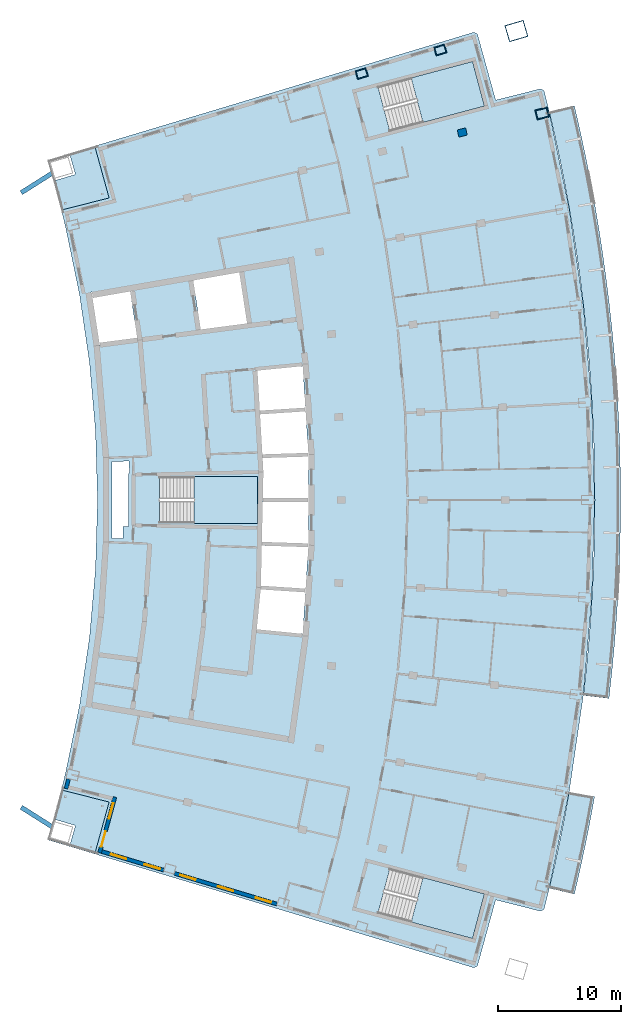
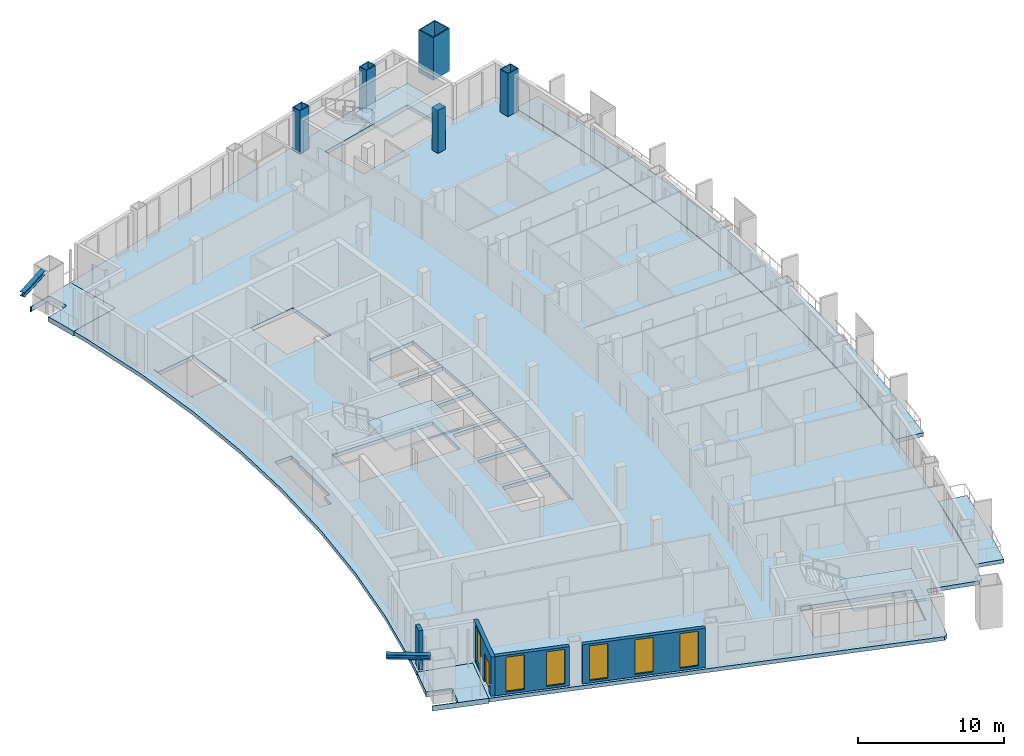
# One storey, part 6 of 16: 8 slabs, 6 windows, 5 columns, 4 walls, 2 members, 1 door, 7 openings, 3 elements without a shape of their own.
"""IFC4 building model written with IfcOpenShell, lengths in metres."""

from ifc_helpers import new_model, si_unit, direction, frame, frame_2d, origin, origin_2d, place, context, subcontext, project, spatial, polyline, rectangle, hollow_rectangle, i_section, outline, extrude, material, layer, layer_set, material_profile, profile_set, type_object, element, fill, aggregate, save


model = new_model("IFC4")

# Units and contexts
model_context = context("Model", 3, precision=1e-05, world=origin(), true_north=direction((0.0, 1.0)))
body_context = subcontext(model_context, "Body", "Model", "MODEL_VIEW")
ifc_project = project(units=[si_unit("LENGTHUNIT", "METRE"), si_unit("AREAUNIT", "SQUARE_METRE"), si_unit("VOLUMEUNIT", "CUBIC_METRE"), si_unit("PLANEANGLEUNIT", "RADIAN"), si_unit("MASSUNIT", "GRAM", prefix="KILO")], contexts=[model_context])

# Site, building, storey
site_placement = place(None, origin())
site = spatial("IfcSite", under=ifc_project, at=site_placement, CompositionType="ELEMENT")
building_placement = place(site_placement, origin())
building = spatial("IfcBuilding", under=site, at=building_placement, Name="Alderwake Tower", CompositionType="ELEMENT")
storey_placement = place(building_placement, frame((0.0, 0.0, 281.60009765625)))
storey = spatial("IfcBuildingStorey", under=building, at=storey_placement, Name="L70", CompositionType="ELEMENT", Elevation=281.60009765625)

# Columns
ifc_material_1 = material(Name="Steel ASTM A572 Grade 50 concrete filled C70/85", Category="concrete")
ifc_material_profile_1 = material_profile(ifc_material_1, hollow_rectangle(XDim=0.699951171875, YDim=0.89990234375, WallThickness=0.050048828125, at=origin_2d()), Name="BOX 900X700X50")
ifc_profile_set_1 = profile_set([ifc_material_profile_1], Name="Steel ASTM A572 Grade 50 concrete filled C70/85")
column_type_1 = type_object("IfcColumnType", Name="End column Z5", PredefinedType="COLUMN", material=ifc_profile_set_1)
for number, where, z_axis, x_axis, name in (
    (1, (37.465576171875, 95.64013671875, 0.0), (0.0, 0.0, 1.0), (-0.282853758087, 0.95916304742, 0.0), "Column R12-C3"),
    (2, (43.8505859375, 97.55712890625, 0.0), (0.0, 0.0, 1.0), (-0.283096487049, 0.95909143413, 0.0), "Column R12-C4"),
):
    element("IfcColumn", number, at=place(storey_placement, frame(where, z_axis=z_axis, x_axis=x_axis)), inside=storey, type_object=column_type_1, Name=name, PredefinedType="COLUMN", context=body_context, shape_type="SweptSolid", body=[
        extrude(hollow_rectangle(XDim=0.699951171875, YDim=0.89990234375, WallThickness=0.050048828125, at=origin_2d()), origin(), (0.0, 0.0, 1.0), 3.599853515625),
    ])
ifc_material_2 = material(Name="Concrete C70/85", Category="concrete")
ifc_material_profile_2 = material_profile(ifc_material_2, rectangle(XDim=0.60009765625, YDim=0.699951171875, at=origin_2d()), Name="RC 700X600")
ifc_profile_set_2 = profile_set([ifc_material_profile_2], Name="Concrete C70/85")
column_type_2 = type_object("IfcColumnType", Name="Interior column Z5", PredefinedType="COLUMN", material=ifc_profile_set_2)
column_1_placement = place(storey_placement, frame((45.6337890625, 90.8583984375, 0.0), z_axis=(0.0, 0.0, 1.0), x_axis=(-0.231221547198, 0.972901123502, 0.0)))
element("IfcColumn", 3, at=column_1_placement, inside=storey, type_object=column_type_2, Name="Column R11-C4", PredefinedType="COLUMN", context=body_context, shape_type="SweptSolid", body=[
    extrude(rectangle(XDim=0.60009765625, YDim=0.699951171875, at=origin_2d()), origin(), (0.0, 0.0, 1.0), 3.599853515625),
])
ifc_material_3 = material(Name="Steel ASTM A572 Grade 50 concrete filled C70/85", Category="concrete")
ifc_material_profile_3 = material_profile(ifc_material_3, hollow_rectangle(XDim=1.39990234375, YDim=1.60009765625, WallThickness=0.070068359375, at=origin_2d()), Name="BOX 1600X1400X70")
ifc_profile_set_3 = profile_set([ifc_material_profile_3], Name="Steel ASTM A572 Grade 50 concrete filled C70/85")
column_type_3 = type_object("IfcColumnType", Name="Mega column Z5", PredefinedType="COLUMN", material=ifc_profile_set_3)
column_2_placement = place(storey_placement, frame((50.03271484375, 99.101806640625, 0.0), z_axis=(0.0, 0.0, 1.0), x_axis=(-0.281194346997, 0.959650842347, 0.0)))
element("IfcColumn", 4, at=column_2_placement, inside=storey, type_object=column_type_3, Name="Column R12-C5", PredefinedType="COLUMN", context=body_context, shape_type="SweptSolid", body=[
    extrude(hollow_rectangle(XDim=1.39990234375, YDim=1.60009765625, WallThickness=0.070068359375, at=origin_2d()), origin(), (0.0, 0.0, 1.0), 3.599853515625),
])
ifc_material_4 = material(Name="Steel ASTM A572 Grade 50 concrete filled C70/85", Category="concrete")
ifc_material_profile_4 = material_profile(ifc_material_4, hollow_rectangle(XDim=0.800048828125, YDim=1.0, WallThickness=0.054931640625, at=origin_2d()), Name="BOX 1000X800X55")
ifc_profile_set_4 = profile_set([ifc_material_profile_4], Name="Steel ASTM A572 Grade 50 concrete filled C70/85")
column_type_4 = type_object("IfcColumnType", Name="Perimeter column Z5", PredefinedType="COLUMN", material=ifc_profile_set_4)
column_3_placement = place(storey_placement, frame((52.1201171875, 92.39990234375, 0.0), z_axis=(0.0, 0.0, 1.0), x_axis=(-0.231221547198, 0.972901123502, 0.0)))
element("IfcColumn", 5, at=column_3_placement, inside=storey, type_object=column_type_4, Name="Column R11-C5", PredefinedType="COLUMN", context=body_context, shape_type="SweptSolid", body=[
    extrude(hollow_rectangle(XDim=0.800048828125, YDim=1.0, WallThickness=0.054931640625, at=origin_2d()), origin(), (0.0, 0.0, 1.0), 3.599853515625),
])

# Members
ifc_material_5 = material(Name="Steel ASTM A992 Grade 50", Category="steel")
ifc_material_profile_5 = material_profile(ifc_material_5, i_section(OverallWidth=0.3740234375, OverallDepth=0.372314453125, WebThickness=0.016357421875, FlangeThickness=0.026123046875, at=origin_2d()), Name="W14X132")
ifc_profile_set_5 = profile_set([ifc_material_profile_5], Name="Steel ASTM A992 Grade 50")
member_type = type_object("IfcMemberType", Name="Brace node stub W14X132", PredefinedType="MEMBER", material=ifc_profile_set_5)
for number, where, z_axis, x_axis, name in (
    (6, (12.394775390625, 34.39599609375, 3.393798828125), (-0.84496653982, 0.534819171856, 0.0), (-0.534819171856, -0.84496653982, 0.0), "Brace node stub BS.RR02-C0.2852"),
    (7, (12.394775390625, 87.60400390625, 3.393798828125), (-0.84496653982, -0.534819171856, 0.0), (0.534819171856, -0.84496653982, 0.0), "Brace node stub BS.RR12-C0.2852"),
):
    element("IfcMember", number, at=place(storey_placement, frame(where, z_axis=z_axis, x_axis=x_axis)), inside=storey, type_object=member_type, Name=name, PredefinedType="MEMBER", context=body_context, shape_type="SweptSolid", body=[
        extrude(i_section(OverallWidth=0.3740234375, OverallDepth=0.372314453125, WebThickness=0.016357421875, FlangeThickness=0.026123046875, at=origin_2d()), origin(), (0.0, 0.0, 1.0), 3.067626953125),
    ])

# Slabs
ifc_material_6 = material(Name="Concrete C50/60", Category="concrete")
ifc_layer_1 = layer(ifc_material_6, 0.320068359375)
ifc_layer_set_1 = layer_set([ifc_layer_1], Name="Balcony slab 320")
slab_type_1 = type_object("IfcSlabType", Name="Balcony slab 320", PredefinedType="FLOOR", material=ifc_layer_set_1)
slab_1_placement = place(storey_placement, frame((0.0, 0.0, -0.320068359375)))
element("IfcSlab", 8, at=slab_1_placement, inside=storey, type_object=slab_type_1, Name="Balcony BF03", PredefinedType="FLOOR", context=body_context, shape_type="SweptSolid", body=[
    extrude(outline(polyline([(52.70361328125, 29.461181640625), (54.746826171875, 28.975830078125), (55.199462890625, 30.944091796875), (55.623291015625, 32.9189453125), (56.0185546875, 34.899658203125), (56.384521484375, 36.885986328125), (54.316650390625, 37.251708984375), (53.9560546875, 35.29541015625), (53.56689453125, 33.3447265625), (53.1494140625, 31.39990234375), (52.70361328125, 29.461181640625)])), origin(), (0.0, 0.0, 1.0), 0.320068359375),
])
slab_2_placement = place(storey_placement, frame((0.0, 0.0, -0.320068359375)))
element("IfcSlab", 9, at=slab_2_placement, inside=storey, type_object=slab_type_1, Name="Balcony BF05", PredefinedType="FLOOR", context=body_context, shape_type="SweptSolid", body=[
    extrude(outline(polyline([(57.779052734375, 46.885986328125), (57.97021484375, 48.896728515625), (58.132080078125, 50.909912109375), (58.264404296875, 52.92529296875), (58.367431640625, 54.942626953125), (58.441162109375, 56.9609375), (58.4853515625, 58.980224609375), (58.5, 61.0), (58.4853515625, 63.019775390625), (58.441162109375, 65.0390625), (58.367431640625, 67.057373046875), (58.264404296875, 69.07470703125), (58.132080078125, 71.090087890625), (57.97021484375, 73.103271484375), (57.779052734375, 75.114013671875), (57.55859375, 77.12158203125), (57.308837890625, 79.1259765625), (57.02978515625, 81.12646484375), (56.7216796875, 83.12255859375), (56.384521484375, 85.114013671875), (56.0185546875, 87.100341796875), (55.623291015625, 89.0810546875), (55.199462890625, 91.055908203125), (54.746826171875, 93.024169921875), (52.70361328125, 92.538818359375), (53.1494140625, 90.60009765625), (53.56689453125, 88.6552734375), (53.9560546875, 86.70458984375), (54.316650390625, 84.748291015625), (54.648681640625, 82.787109375), (54.9521484375, 80.8212890625), (55.226806640625, 78.85107421875), (55.472900390625, 76.877197265625), (55.68994140625, 74.89990234375), (55.878173828125, 72.919921875), (56.03759765625, 70.93701171875), (56.16796875, 68.9521484375), (56.26953125, 66.965576171875), (56.342041015625, 64.977783203125), (56.385498046875, 62.989013671875), (56.39990234375, 61.0), (56.385498046875, 59.010986328125), (56.342041015625, 57.022216796875), (56.26953125, 55.034423828125), (56.16796875, 53.0478515625), (56.03759765625, 51.06298828125), (55.878173828125, 49.080078125), (55.68994140625, 47.10009765625), (55.472900390625, 45.122802734375), (57.55859375, 44.87841796875), (57.779052734375, 46.885986328125)])), origin(), (0.0, 0.0, 1.0), 0.320068359375),
])
ifc_material_7 = material(Name="Concrete C50/60", Category="concrete")
ifc_layer_2 = layer(ifc_material_7, 0.320068359375)
ifc_layer_set_2 = layer_set([ifc_layer_2], Name="Concrete C50/60 post-tensioned flat plate 320")
slab_type_2 = type_object("IfcSlabType", Name="Concrete C50/60 post-tensioned flat plate 320", PredefinedType="FLOOR", material=ifc_layer_set_2)
slab_3_placement = place(storey_placement, frame((0.0, 0.0, -0.320068359375)))
element("IfcSlab", 10, at=slab_3_placement, inside=storey, type_object=slab_type_2, Name="Floor slab L70", PredefinedType="FLOOR", context=body_context, shape_type="SweptSolid", body=[
    extrude(outline(polyline([(13.06494140625, 37.443115234375), (13.3984375, 38.802734375), (14.53369140625, 44.28564453125), (15.347412109375, 49.825439453125), (15.836669921875, 55.4033203125), (16.0, 61.0), (15.836669921875, 66.5966796875), (15.347412109375, 72.174560546875), (14.53369140625, 77.71435546875), (13.3984375, 83.197265625), (13.06494140625, 84.556884765625), (16.942626953125, 85.53857421875), (15.776611328125, 89.7548828125), (46.587890625, 99.00537109375), (46.869384765625, 98.849853515625), (48.35205078125, 93.489013671875), (52.006591796875, 94.4140625), (52.284423828125, 94.2470703125), (52.70361328125, 92.538818359375), (54.316650390625, 84.748291015625), (55.472900390625, 76.877197265625), (56.16796875, 68.9521484375), (56.39990234375, 61.0), (56.16796875, 53.0478515625), (55.472900390625, 45.122802734375), (54.316650390625, 37.251708984375), (52.70361328125, 29.461181640625), (52.284423828125, 27.7529296875), (52.006591796875, 27.5859375), (48.35205078125, 28.510986328125), (46.869384765625, 23.150146484375), (46.587890625, 22.99462890625), (15.776611328125, 32.2451171875), (16.942626953125, 36.46142578125), (13.06494140625, 37.443115234375)]), holes=[polyline([(29.2578125, 53.77197265625), (28.9365234375, 50.4912109375), (32.646484375, 50.128173828125), (32.6318359375, 49.978759765625), (32.661865234375, 49.975830078125), (32.90087890625, 53.64794921875), (33.139892578125, 57.320068359375), (33.139892578125, 61.0), (33.139892578125, 64.679931640625), (32.90087890625, 68.35205078125), (32.661865234375, 72.024169921875), (32.6318359375, 72.021240234375), (32.646484375, 71.871826171875), (28.886962890625, 71.50390625), (28.88720703125, 71.50048828125), (28.99462890625, 71.506591796875), (29.184814453125, 68.26025390625), (32.861083984375, 68.499755859375), (32.87109375, 68.35009765625), (32.880615234375, 68.200439453125), (29.2021484375, 67.960693359375), (29.392578125, 64.7080078125), (33.105224609375, 64.828857421875), (33.110107421875, 64.678955078125), (33.114990234375, 64.529052734375), (29.41015625, 64.408447265625), (29.4765625, 63.27685546875), (29.429443359375, 61.14990234375), (33.110107421875, 61.14990234375), (33.110107421875, 61.0), (33.110107421875, 60.85009765625), (29.4228515625, 60.85009765625), (29.350830078125, 57.593505859375), (33.114990234375, 57.470947265625), (33.110107421875, 57.321044921875), (33.105224609375, 57.171142578125), (29.34423828125, 57.29345703125), (29.2705078125, 53.969482421875), (29.274169921875, 53.969482421875), (29.2783203125, 54.0341796875), (32.880615234375, 53.799560546875), (32.87109375, 53.64990234375), (32.861083984375, 53.500244140625), (29.2587890625, 53.73486328125), (29.26123046875, 53.771728515625), (29.2578125, 53.77197265625)]), polyline([(21.050048828125, 62.875), (21.050048828125, 59.125), (29.0, 59.125), (29.0, 62.875), (21.050048828125, 62.875)]), polyline([(15.54345703125, 77.892822265625), (15.437744140625, 77.874267578125), (15.4384765625, 77.87060546875), (15.519287109375, 77.8828125), (16.180908203125, 73.579833984375), (16.210693359375, 73.583740234375), (16.184814453125, 73.781982421875), (19.224609375, 74.1796875), (18.656005859375, 77.940673828125), (18.852294921875, 77.97021484375), (18.8505859375, 77.980224609375), (15.626220703125, 77.418212890625), (15.54345703125, 77.892822265625)]), polyline([(27.521240234375, 79.491943359375), (23.77783203125, 78.83935546875), (24.384033203125, 74.858642578125), (24.3642578125, 74.855712890625), (24.36474609375, 74.851806640625), (28.152587890625, 75.347412109375), (27.521240234375, 79.491943359375)]), polyline([(47.436279296875, 28.996826171875), (39.754150390625, 31.043212890625), (38.7890625, 27.41943359375), (46.47119140625, 25.373291015625), (47.436279296875, 28.996826171875)]), polyline([(46.47119140625, 96.626708984375), (38.7890625, 94.58056640625), (39.754150390625, 90.956787109375), (47.436279296875, 93.003173828125), (46.47119140625, 96.626708984375)]), polyline([(17.189453125, 64.114990234375), (17.189453125, 57.885009765625), (18.06298828125, 57.85400390625), (18.090576171875, 58.84375), (18.544189453125, 58.831298828125), (18.529296875, 58.8681640625), (18.5234375, 58.891845703125), (18.5185546875, 58.940673828125), (18.5185546875, 63.060302734375), (18.5234375, 63.109130859375), (18.53759765625, 63.156005859375), (18.560791015625, 63.19921875), (18.588623046875, 63.2333984375), (18.562744140625, 64.16357421875), (17.189453125, 64.114990234375)])]), origin(), (0.0, 0.0, 1.0), 0.320068359375),
])

# Stair, slab
ifc_material_8 = material(Name="Concrete C40/50", Category="concrete")
stair_type = type_object("IfcStairType", Name="Core exit stair", PredefinedType="HALF_TURN_STAIR", material=ifc_material_8)
stair_1_placement = place(storey_placement, origin())
stair_1 = element("IfcStair", 11, at=stair_1_placement, inside=storey, type_object=stair_type, Name="L70 Exit Stair B", PredefinedType="HALF_TURN_STAIR")
ifc_material_9 = material(Name="Concrete C40/50", Category="concrete")
ifc_layer_3 = layer(ifc_material_9, 0.199951171875)
ifc_layer_set_3 = layer_set([ifc_layer_3], Name="Core stair landing 200")
slab_type_3 = type_object("IfcSlabType", Name="Core stair landing 200", PredefinedType="LANDING", material=ifc_layer_set_3)
slab_4_placement = place(storey_placement, frame((0.0, 0.0, 1.599853515625)))
slab_4 = element("IfcSlab", 12, at=slab_4_placement, type_object=slab_type_3, Name="ST-B landing 1", PredefinedType="LANDING", context=body_context, shape_type="SweptSolid", body=[
    extrude(outline(polyline([(23.830078125, 59.074951171875), (29.0, 59.074951171875), (29.0, 62.925048828125), (23.830078125, 62.925048828125), (23.830078125, 59.074951171875)])), origin(), (0.0, 0.0, 1.0), 0.199951171875),
])
aggregate(stair_1, [slab_4])

stair_2_placement = place(storey_placement, origin())
stair_2 = element("IfcStair", 13, at=stair_2_placement, inside=storey, type_object=stair_type, Name="L70 Exit Stair A", PredefinedType="HALF_TURN_STAIR")
slab_5_placement = place(storey_placement, frame((0.0, 0.0, 1.599853515625)))
slab_5 = element("IfcSlab", 14, at=slab_5_placement, type_object=slab_type_3, Name="ST-A landing 1", PredefinedType="LANDING", context=body_context, shape_type="SweptSolid", body=[
    extrude(outline(polyline([(42.440673828125, 91.67236328125), (47.436279296875, 93.003173828125), (46.47119140625, 96.626708984375), (41.475341796875, 95.296142578125), (42.440673828125, 91.67236328125)])), origin(), (0.0, 0.0, 1.0), 0.199951171875),
])
aggregate(stair_2, [slab_5])

stair_3_placement = place(storey_placement, origin())
stair_3 = element("IfcStair", 15, at=stair_3_placement, inside=storey, type_object=stair_type, Name="L70 Exit Stair C", PredefinedType="HALF_TURN_STAIR")
slab_6_placement = place(storey_placement, frame((0.0, 0.0, 1.599853515625)))
slab_6 = element("IfcSlab", 16, at=slab_6_placement, type_object=slab_type_3, Name="ST-C landing 1", PredefinedType="LANDING", context=body_context, shape_type="SweptSolid", body=[
    extrude(outline(polyline([(41.475341796875, 26.703857421875), (46.47119140625, 25.373291015625), (47.436279296875, 28.996826171875), (42.4404296875, 30.32763671875), (41.475341796875, 26.703857421875)])), origin(), (0.0, 0.0, 1.0), 0.199951171875),
])
aggregate(stair_3, [slab_6])

# Slabs
ifc_material_10 = material(Name="Concrete C50/60", Category="concrete")
ifc_layer_4 = layer(ifc_material_10, 0.419921875)
ifc_layer_set_4 = layer_set([ifc_layer_4], Name="Terrace slab 420")
slab_type_4 = type_object("IfcSlabType", Name="Terrace slab 420", PredefinedType="FLOOR", material=ifc_layer_set_4)
slab_7_placement = place(storey_placement, frame((0.0, 0.0, -0.420166015625)))
element("IfcSlab", 17, at=slab_7_placement, inside=storey, type_object=slab_type_4, Name="Corner terrace RS", PredefinedType="FLOOR", context=body_context, shape_type="SweptSolid", body=[
    extrude(outline(polyline([(15.776611328125, 32.2451171875), (11.945556640625, 33.395263671875), (11.9697265625, 33.478271484375), (11.97607421875, 33.46826171875), (11.985107421875, 33.456298828125), (11.9951171875, 33.44580078125), (12.006103515625, 33.435791015625), (12.017822265625, 33.42724609375), (12.03076171875, 33.419921875), (12.0439453125, 33.413818359375), (12.05810546875, 33.408935546875), (13.594482421875, 32.963134765625), (13.60888671875, 32.959716796875), (13.62353515625, 32.957763671875), (13.63818359375, 32.957275390625), (13.65283203125, 32.9580078125), (13.66748046875, 32.96044921875), (13.681640625, 32.964111328125), (13.695556640625, 32.969482421875), (13.708740234375, 32.975830078125), (13.72119140625, 32.9833984375), (13.73291015625, 32.992431640625), (13.74365234375, 33.00244140625), (13.75341796875, 33.013427734375), (13.76220703125, 33.025390625), (13.76953125, 33.0380859375), (13.775634765625, 33.051513671875), (13.780517578125, 33.0654296875), (14.17041015625, 34.409912109375), (14.173828125, 34.42431640625), (14.17578125, 34.43896484375), (14.176513671875, 34.45361328125), (14.175537109375, 34.46826171875), (14.173095703125, 34.48291015625), (14.16943359375, 34.4970703125), (14.164306640625, 34.510986328125), (14.157958984375, 34.524169921875), (14.150146484375, 34.53662109375), (14.14111328125, 34.54833984375), (14.131103515625, 34.55908203125), (14.1201171875, 34.56884765625), (14.1083984375, 34.577392578125), (14.095458984375, 34.5849609375), (14.082275390625, 34.591064453125), (14.068115234375, 34.595947265625), (12.531494140625, 35.04150390625), (12.517333984375, 35.044921875), (12.502685546875, 35.047119140625), (12.488037109375, 35.047607421875), (12.473388671875, 35.046630859375), (12.458740234375, 35.044189453125), (12.444580078125, 35.04052734375), (12.4306640625, 35.035400390625), (12.418701171875, 35.029541015625), (12.71142578125, 36.08837890625), (13.06494140625, 37.443115234375), (16.942626953125, 36.46142578125), (15.776611328125, 32.2451171875)])), origin(), (0.0, 0.0, 1.0), 0.420166015625),
])
slab_8_placement = place(storey_placement, frame((0.0, 0.0, -0.420166015625)))
element("IfcSlab", 18, at=slab_8_placement, inside=storey, type_object=slab_type_4, Name="Corner terrace RN", PredefinedType="FLOOR", context=body_context, shape_type="SweptSolid", body=[
    extrude(outline(polyline([(12.418701171875, 86.970458984375), (12.4306640625, 86.964599609375), (12.444580078125, 86.95947265625), (12.458740234375, 86.955810546875), (12.473388671875, 86.953369140625), (12.488037109375, 86.952392578125), (12.502685546875, 86.952880859375), (12.517333984375, 86.955078125), (12.531494140625, 86.95849609375), (14.068115234375, 87.404052734375), (14.082275390625, 87.408935546875), (14.095458984375, 87.4150390625), (14.1083984375, 87.422607421875), (14.1201171875, 87.43115234375), (14.131103515625, 87.44091796875), (14.14111328125, 87.45166015625), (14.150146484375, 87.46337890625), (14.157958984375, 87.475830078125), (14.164306640625, 87.489013671875), (14.16943359375, 87.5029296875), (14.173095703125, 87.51708984375), (14.175537109375, 87.53173828125), (14.176513671875, 87.54638671875), (14.17578125, 87.56103515625), (14.173828125, 87.57568359375), (14.17041015625, 87.590087890625), (13.780517578125, 88.9345703125), (13.775634765625, 88.948486328125), (13.76953125, 88.9619140625), (13.76220703125, 88.974609375), (13.75341796875, 88.986572265625), (13.74365234375, 88.99755859375), (13.73291015625, 89.007568359375), (13.72119140625, 89.0166015625), (13.708740234375, 89.024169921875), (13.695556640625, 89.030517578125), (13.681640625, 89.035888671875), (13.66748046875, 89.03955078125), (13.65283203125, 89.0419921875), (13.63818359375, 89.042724609375), (13.62353515625, 89.042236328125), (13.60888671875, 89.040283203125), (13.594482421875, 89.036865234375), (12.05810546875, 88.591064453125), (12.0439453125, 88.586181640625), (12.03076171875, 88.580078125), (12.017822265625, 88.57275390625), (12.006103515625, 88.564208984375), (11.9951171875, 88.55419921875), (11.985107421875, 88.543701171875), (11.97607421875, 88.53173828125), (11.9697265625, 88.521728515625), (11.945556640625, 88.604736328125), (15.776611328125, 89.7548828125), (16.942626953125, 85.53857421875), (13.06494140625, 84.556884765625), (12.71142578125, 85.91162109375), (12.418701171875, 86.970458984375)])), origin(), (0.0, 0.0, 1.0), 0.420166015625),
])

# Wall
ifc_material_11 = material(Name="Precast concrete C50/60 spandrel panel", Category="concrete")
ifc_layer_5 = layer(ifc_material_11, 0.300048828125)
ifc_layer_set_5 = layer_set([ifc_layer_5], Name="External wall EW1 Precast concrete C50/60 spandrel")
wall_type_1 = type_object("IfcWallType", Name="External wall EW1 Precast concrete C50/60 spandrel", PredefinedType="SOLIDWALL", material=ifc_layer_set_5)
wall_1_placement = place(storey_placement, frame((13.643310546875, 38.33154296875, 0.0), z_axis=(0.0, 0.0, 1.0), x_axis=(-0.238313493867, -0.971188281767, 0.0)))
element("IfcWall", 19, at=wall_1_placement, inside=storey, type_object=wall_type_1, Name="External wall 1", PredefinedType="SOLIDWALL", context=body_context, shape_type="SweptSolid", body=[
    extrude(rectangle(XDim=0.80322265625, YDim=0.300048828125, at=frame_2d((0.401611328125, 0.0))), origin(), (0.0, 0.0, 1.0), 3.27978515625),
])

# Wall, openings, door, window
ifc_material_12 = material(Name="Bronze metal cladding on lightweight framing")
ifc_layer_6 = layer(ifc_material_12, 0.300048828125)
ifc_layer_set_6 = layer_set([ifc_layer_6], Name="External wall EW2 bronze metal cladding")
wall_type_2 = type_object("IfcWallType", Name="External wall EW2 bronze metal cladding", PredefinedType="SOLIDWALL", material=ifc_layer_set_6)
wall_2_placement = place(storey_placement, frame((17.410400390625, 36.85888671875, 0.0), z_axis=(0.0, 0.0, 1.0), x_axis=(-0.264592640785, -0.96436027212, 0.0)))
wall_2 = element("IfcWall", 20, at=wall_2_placement, inside=storey, type_object=wall_type_2, Name="External wall 3", PredefinedType="SOLIDWALL", context=body_context, shape_type="SweptSolid", body=[
    extrude(rectangle(XDim=4.690185546875, YDim=0.300048828125, at=frame_2d((2.34521484375, 0.0))), origin(), (0.0, 0.0, 1.0), 3.27978515625),
])
opening_1_placement = place(wall_2_placement, frame((0.5224609375, 0.0, 0.199951171875)))
opening_1 = element("IfcOpeningElement", 21, at=opening_1_placement, cuts=wall_2, Name="Opening W1", PredefinedType="OPENING", context=body_context, shape_type="SweptSolid", body=[
    extrude(rectangle(XDim=1.300048828125, YDim=2.89990234375, at=frame_2d((0.64990234375, 1.449951171875))), frame((0.0, 0.159912109375, 0.0), z_axis=(0.0, -1.0, 0.0), x_axis=(1.0, 0.0, 0.0)), (0.0, 0.0, 1.0), 0.320068359375),
])
opening_2_placement = place(wall_2_placement, frame((2.867431640625, 0.0, 0.0)))
opening_2 = element("IfcOpeningElement", 22, at=opening_2_placement, cuts=wall_2, Name="Opening D01", PredefinedType="OPENING", context=body_context, shape_type="SweptSolid", body=[
    extrude(rectangle(XDim=1.300048828125, YDim=2.39990234375, at=frame_2d((0.64990234375, 1.199951171875))), frame((0.0, 0.159912109375, 0.0), z_axis=(0.0, -1.0, 0.0), x_axis=(1.0, 0.0, 0.0)), (0.0, 0.0, 1.0), 0.320068359375),
])
ifc_material_13 = material(Name="Bronze tinted glass in aluminium frame", Category="aluminium")
door_type = type_object("IfcDoorType", Name="Balcony door BD sliding", OperationType="SLIDING_TO_LEFT", PredefinedType="DOOR", material=ifc_material_13)
door_placement = place(opening_2_placement, origin())
door = element("IfcDoor", 23, at=door_placement, inside=storey, type_object=door_type, Name="Door D01", OperationType="SLIDING_TO_LEFT", OverallHeight=2.39990234375, OverallWidth=1.300048828125, PredefinedType="DOOR", context=body_context, shape_type="SweptSolid", body=[
    extrude(rectangle(XDim=1.300048828125, YDim=2.39990234375, at=frame_2d((0.64990234375, 1.199951171875))), frame((0.0, 0.02490234375, 0.0), z_axis=(0.0, -1.0, 0.0), x_axis=(1.0, 0.0, 0.0)), (0.0, 0.0, 1.0), 0.050048828125),
])
fill(opening_2, door)
ifc_material_14 = material(Name="Bronze tinted glass in aluminium frame", Category="aluminium")
window_type = type_object("IfcWindowType", Name="Window W1 tall fixed and vent", PartitioningType="DOUBLE_PANEL_VERTICAL", PredefinedType="WINDOW", material=ifc_material_14)
window_1_placement = place(opening_1_placement, origin())
window_1 = element("IfcWindow", 24, at=window_1_placement, inside=storey, type_object=window_type, Name="Window W1 tall fixed and vent", OverallHeight=2.89990234375, OverallWidth=1.300048828125, PartitioningType="DOUBLE_PANEL_VERTICAL", PredefinedType="WINDOW", context=body_context, shape_type="SweptSolid", body=[
    extrude(rectangle(XDim=1.300048828125, YDim=2.89990234375, at=frame_2d((0.64990234375, 1.449951171875))), frame((0.0, 0.030029296875, 0.0), z_axis=(0.0, -1.0, 0.0), x_axis=(1.0, 0.0, 0.0)), (0.0, 0.0, 1.0), 0.06005859375),
])
fill(opening_1, window_1)

# Wall, openings, windows
wall_3_placement = place(storey_placement, frame((16.352783203125, 32.4375, 0.0), z_axis=(0.0, 0.0, 1.0), x_axis=(0.957768668152, -0.287539872551, 0.0)))
wall_3 = element("IfcWall", 25, at=wall_3_placement, inside=storey, type_object=wall_type_2, Name="External wall 4", PredefinedType="SOLIDWALL", context=body_context, shape_type="SweptSolid", body=[
    extrude(rectangle(XDim=5.249755859375, YDim=0.300048828125, at=frame_2d((2.625, 0.0))), origin(), (0.0, 0.0, 1.0), 3.27978515625),
])
opening_3_placement = place(wall_3_placement, frame((0.775390625, 0.0, 0.199951171875)))
opening_3 = element("IfcOpeningElement", 26, at=opening_3_placement, cuts=wall_3, Name="Opening W1", PredefinedType="OPENING", context=body_context, shape_type="SweptSolid", body=[
    extrude(rectangle(XDim=1.300048828125, YDim=2.89990234375, at=frame_2d((0.64990234375, 1.449951171875))), frame((0.0, 0.159912109375, 0.0), z_axis=(0.0, -1.0, 0.0), x_axis=(1.0, 0.0, 0.0)), (0.0, 0.0, 1.0), 0.320068359375),
])
opening_4_placement = place(wall_3_placement, frame((3.626220703125, 0.0, 0.199951171875)))
opening_4 = element("IfcOpeningElement", 27, at=opening_4_placement, cuts=wall_3, Name="Opening W1", PredefinedType="OPENING", context=body_context, shape_type="SweptSolid", body=[
    extrude(rectangle(XDim=1.300048828125, YDim=2.89990234375, at=frame_2d((0.64990234375, 1.449951171875))), frame((0.0, 0.159912109375, 0.0), z_axis=(0.0, -1.0, 0.0), x_axis=(1.0, 0.0, 0.0)), (0.0, 0.0, 1.0), 0.320068359375),
])
window_2_placement = place(opening_3_placement, origin())
window_2 = element("IfcWindow", 28, at=window_2_placement, inside=storey, type_object=window_type, Name="Window W1 tall fixed and vent", OverallHeight=2.89990234375, OverallWidth=1.300048828125, PartitioningType="DOUBLE_PANEL_VERTICAL", PredefinedType="WINDOW", context=body_context, shape_type="SweptSolid", body=[
    extrude(rectangle(XDim=1.300048828125, YDim=2.89990234375, at=frame_2d((0.64990234375, 1.449951171875))), frame((0.0, 0.030029296875, 0.0), z_axis=(0.0, -1.0, 0.0), x_axis=(1.0, 0.0, 0.0)), (0.0, 0.0, 1.0), 0.06005859375),
])
fill(opening_3, window_2)
window_3_placement = place(opening_4_placement, origin())
window_3 = element("IfcWindow", 29, at=window_3_placement, inside=storey, type_object=window_type, Name="Window W1 tall fixed and vent", OverallHeight=2.89990234375, OverallWidth=1.300048828125, PartitioningType="DOUBLE_PANEL_VERTICAL", PredefinedType="WINDOW", context=body_context, shape_type="SweptSolid", body=[
    extrude(rectangle(XDim=1.300048828125, YDim=2.89990234375, at=frame_2d((0.64990234375, 1.449951171875))), frame((0.0, 0.030029296875, 0.0), z_axis=(0.0, -1.0, 0.0), x_axis=(1.0, 0.0, 0.0)), (0.0, 0.0, 1.0), 0.06005859375),
])
fill(opening_4, window_3)

wall_4_placement = place(storey_placement, frame((22.24658203125, 30.668212890625, 0.0), z_axis=(0.0, 0.0, 1.0), x_axis=(0.957762902908, -0.287559075345, 0.0)))
wall_4 = element("IfcWall", 30, at=wall_4_placement, inside=storey, type_object=wall_type_2, Name="External wall 5", PredefinedType="SOLIDWALL", context=body_context, shape_type="SweptSolid", body=[
    extrude(rectangle(XDim=8.696533203125, YDim=0.300048828125, at=frame_2d((4.34814453125, 0.0))), origin(), (0.0, 0.0, 1.0), 3.27978515625),
])
opening_5_placement = place(wall_4_placement, frame((0.498046875, 0.0, 0.199951171875)))
opening_5 = element("IfcOpeningElement", 31, at=opening_5_placement, cuts=wall_4, Name="Opening W1", PredefinedType="OPENING", context=body_context, shape_type="SweptSolid", body=[
    extrude(rectangle(XDim=1.300048828125, YDim=2.89990234375, at=frame_2d((0.64990234375, 1.449951171875))), frame((0.0, 0.159912109375, 0.0), z_axis=(0.0, -1.0, 0.0), x_axis=(1.0, 0.0, 0.0)), (0.0, 0.0, 1.0), 0.320068359375),
])
opening_6_placement = place(wall_4_placement, frame((3.697998046875, 0.0, 0.199951171875)))
opening_6 = element("IfcOpeningElement", 32, at=opening_6_placement, cuts=wall_4, Name="Opening W1", PredefinedType="OPENING", context=body_context, shape_type="SweptSolid", body=[
    extrude(rectangle(XDim=1.300048828125, YDim=2.89990234375, at=frame_2d((0.64990234375, 1.449951171875))), frame((0.0, 0.159912109375, 0.0), z_axis=(0.0, -1.0, 0.0), x_axis=(1.0, 0.0, 0.0)), (0.0, 0.0, 1.0), 0.320068359375),
])
opening_7_placement = place(wall_4_placement, frame((6.898193359375, 0.0, 0.199951171875)))
opening_7 = element("IfcOpeningElement", 33, at=opening_7_placement, cuts=wall_4, Name="Opening W1", PredefinedType="OPENING", context=body_context, shape_type="SweptSolid", body=[
    extrude(rectangle(XDim=1.300048828125, YDim=2.89990234375, at=frame_2d((0.64990234375, 1.449951171875))), frame((0.0, 0.159912109375, 0.0), z_axis=(0.0, -1.0, 0.0), x_axis=(1.0, 0.0, 0.0)), (0.0, 0.0, 1.0), 0.320068359375),
])
window_4_placement = place(opening_5_placement, origin())
window_4 = element("IfcWindow", 34, at=window_4_placement, inside=storey, type_object=window_type, Name="Window W1 tall fixed and vent", OverallHeight=2.89990234375, OverallWidth=1.300048828125, PartitioningType="DOUBLE_PANEL_VERTICAL", PredefinedType="WINDOW", context=body_context, shape_type="SweptSolid", body=[
    extrude(rectangle(XDim=1.300048828125, YDim=2.89990234375, at=frame_2d((0.64990234375, 1.449951171875))), frame((0.0, 0.030029296875, 0.0), z_axis=(0.0, -1.0, 0.0), x_axis=(1.0, 0.0, 0.0)), (0.0, 0.0, 1.0), 0.06005859375),
])
fill(opening_5, window_4)
window_5_placement = place(opening_6_placement, origin())
window_5 = element("IfcWindow", 35, at=window_5_placement, inside=storey, type_object=window_type, Name="Window W1 tall fixed and vent", OverallHeight=2.89990234375, OverallWidth=1.300048828125, PartitioningType="DOUBLE_PANEL_VERTICAL", PredefinedType="WINDOW", context=body_context, shape_type="SweptSolid", body=[
    extrude(rectangle(XDim=1.300048828125, YDim=2.89990234375, at=frame_2d((0.64990234375, 1.449951171875))), frame((0.0, 0.030029296875, 0.0), z_axis=(0.0, -1.0, 0.0), x_axis=(1.0, 0.0, 0.0)), (0.0, 0.0, 1.0), 0.06005859375),
])
fill(opening_6, window_5)
window_6_placement = place(opening_7_placement, origin())
window_6 = element("IfcWindow", 36, at=window_6_placement, inside=storey, type_object=window_type, Name="Window W1 tall fixed and vent", OverallHeight=2.89990234375, OverallWidth=1.300048828125, PartitioningType="DOUBLE_PANEL_VERTICAL", PredefinedType="WINDOW", context=body_context, shape_type="SweptSolid", body=[
    extrude(rectangle(XDim=1.300048828125, YDim=2.89990234375, at=frame_2d((0.64990234375, 1.449951171875))), frame((0.0, 0.030029296875, 0.0), z_axis=(0.0, -1.0, 0.0), x_axis=(1.0, 0.0, 0.0)), (0.0, 0.0, 1.0), 0.06005859375),
])
fill(opening_7, window_6)

save(model, "model.ifc")
